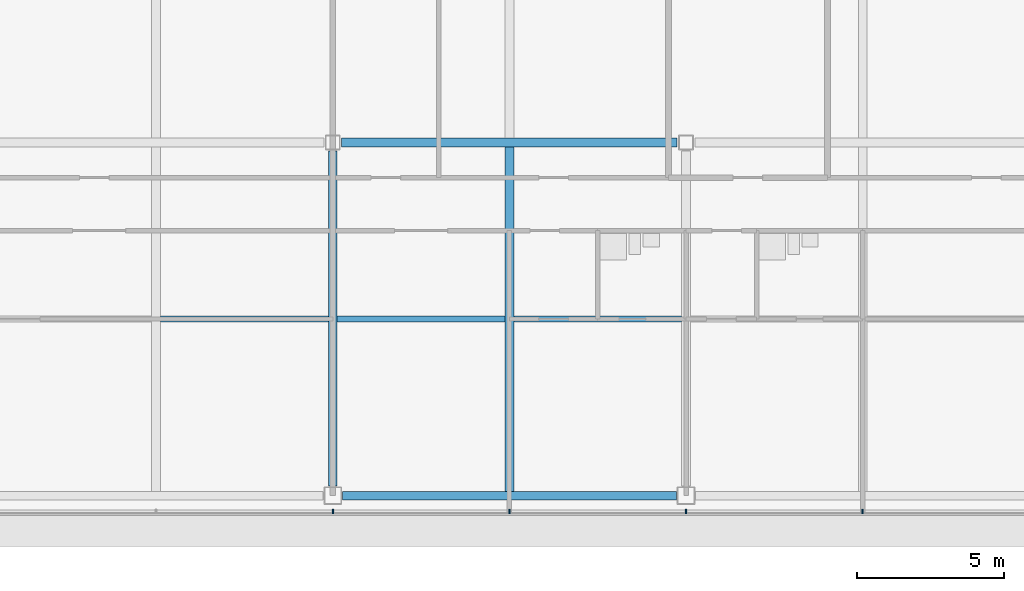
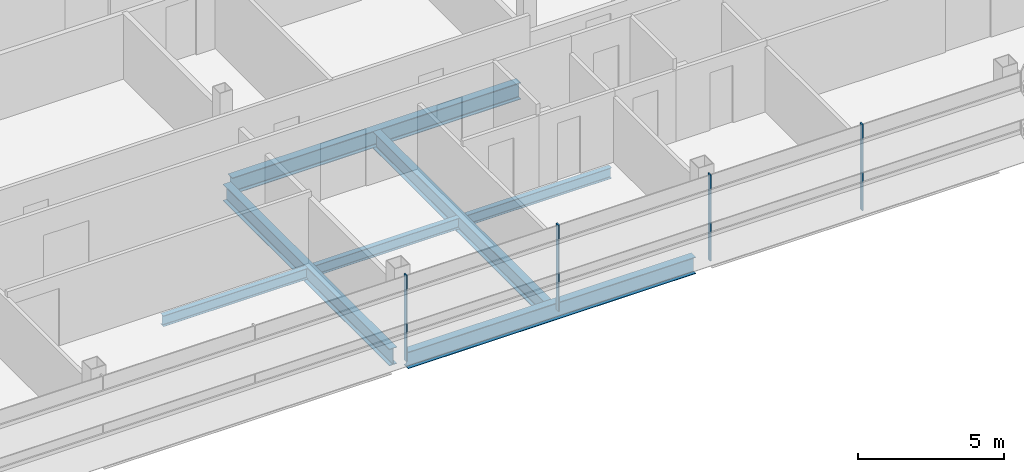
# One storey, part 9 of 27: 7 beams, 4 members, 1 element without a shape of its own.
"""IFC4 building model written with IfcOpenShell, lengths in metres."""

from ifc_helpers import new_model, si_unit, direction, frame, origin, origin_2d, place, context, subcontext, project, spatial, rectangle, i_section, extrude, material, material_profile, profile_set, type_object, element, aggregate, save


model = new_model("IFC4")

# Units and contexts
model_context = context("Model", 3, precision=1e-05, world=origin(), true_north=direction((0.0, 1.0)))
body_context = subcontext(model_context, "Body", "Model", "MODEL_VIEW")
ifc_project = project(units=[si_unit("LENGTHUNIT", "METRE"), si_unit("AREAUNIT", "SQUARE_METRE"), si_unit("VOLUMEUNIT", "CUBIC_METRE"), si_unit("PLANEANGLEUNIT", "RADIAN"), si_unit("MASSUNIT", "GRAM", prefix="KILO")], contexts=[model_context])

# Site, building, storey
site_placement = place(None, origin())
site = spatial("IfcSite", under=ifc_project, at=site_placement, CompositionType="ELEMENT")
building_placement = place(site_placement, origin())
building = spatial("IfcBuilding", under=site, at=building_placement, Name="Sorahane Residences", CompositionType="ELEMENT")
storey_placement = place(building_placement, frame((0.0, 0.0, 246.800048828125)))
storey = spatial("IfcBuildingStorey", under=building, at=storey_placement, Name="L58", CompositionType="ELEMENT", Elevation=246.800048828125)

# Curtain wall, members
ifc_material_1 = material(Name="Dark low-e glass and black anodised aluminium", Category="aluminium")
curtain_wall_type = type_object("IfcCurtainWallType", Name="Curtain wall CW-1 Typical unitised wall", PredefinedType="NOTDEFINED", material=ifc_material_1)
curtain_wall_placement = place(storey_placement, origin())
curtain_wall = element("IfcCurtainWall", 1, at=curtain_wall_placement, inside=storey, type_object=curtain_wall_type, Name="CW-1 curtain wall L58 S1", PredefinedType="NOTDEFINED")
ifc_material_2 = material(Name="Black anodised aluminium", Category="aluminium")
ifc_material_profile_1 = material_profile(ifc_material_2, rectangle(XDim=0.159912109375, YDim=0.050048828125, at=origin_2d()), Name="Curtain wall mullion CW-1 black anodised aluminium 50x160")
ifc_profile_set_1 = profile_set([ifc_material_profile_1], Name="Black anodised aluminium")
member_type = type_object("IfcMemberType", Name="Curtain wall mullion CW-1 black anodised aluminium 50x160", PredefinedType="MULLION", material=ifc_profile_set_1)
member_1_placement = place(storey_placement, frame((24.0, -0.5400390625, -0.179931640625), z_axis=(0.0, 0.0, 1.0), x_axis=(0.0, -1.0, 0.0)))
member_1 = element("IfcMember", 2, at=member_1_placement, type_object=member_type, Name="CW-1 mullion L58 S1.6", PredefinedType="MULLION", context=body_context, shape_type="SweptSolid", body=[
    extrude(rectangle(XDim=0.159912109375, YDim=0.050048828125, at=origin_2d()), origin(), (0.0, 0.0, 1.0), 3.599853515625),
])
member_2_placement = place(storey_placement, frame((30.0, -0.5400390625, -0.179931640625), z_axis=(0.0, 0.0, 1.0), x_axis=(0.0, -1.0, 0.0)))
member_2 = element("IfcMember", 3, at=member_2_placement, type_object=member_type, Name="CW-1 mullion L58 S1.7", PredefinedType="MULLION", context=body_context, shape_type="SweptSolid", body=[
    extrude(rectangle(XDim=0.159912109375, YDim=0.050048828125, at=origin_2d()), origin(), (0.0, 0.0, 1.0), 3.599853515625),
])
member_3_placement = place(storey_placement, frame((36.0, -0.5400390625, -0.179931640625), z_axis=(0.0, 0.0, 1.0), x_axis=(0.0, -1.0, 0.0)))
member_3 = element("IfcMember", 4, at=member_3_placement, type_object=member_type, Name="CW-1 mullion L58 S1.8", PredefinedType="MULLION", context=body_context, shape_type="SweptSolid", body=[
    extrude(rectangle(XDim=0.159912109375, YDim=0.050048828125, at=origin_2d()), origin(), (0.0, 0.0, 1.0), 3.599853515625),
])
member_4_placement = place(storey_placement, frame((42.0, -0.5400390625, -0.179931640625), z_axis=(0.0, 0.0, 1.0), x_axis=(0.0, -1.0, 0.0)))
member_4 = element("IfcMember", 5, at=member_4_placement, type_object=member_type, Name="CW-1 mullion L58 S1.9", PredefinedType="MULLION", context=body_context, shape_type="SweptSolid", body=[
    extrude(rectangle(XDim=0.159912109375, YDim=0.050048828125, at=origin_2d()), origin(), (0.0, 0.0, 1.0), 3.599853515625),
])
aggregate(curtain_wall, [member_1, member_2, member_3, member_4])

# Beams
ifc_material_3 = material(Name="Steel Q355B", Category="steel")
ifc_material_profile_2 = material_profile(ifc_material_3, i_section(OverallWidth=0.199951171875, OverallDepth=0.449951171875, WebThickness=0.009033203125, FlangeThickness=0.013916015625, FilletRadius=0.02001953125, at=origin_2d()), Name="HN 450x200x9x14")
ifc_profile_set_2 = profile_set([ifc_material_profile_2], Name="Steel Q355B")
beam_type_1 = type_object("IfcBeamType", Name="Steel floor beam HN 450x200x9x14 Q355B", PredefinedType="BEAM", material=ifc_profile_set_2)
for number, where, z_axis, x_axis, name in (
    (6, (18.14990234375, 6.0, -0.405029296875), (1.0, 0.0, 0.0), (0.0, 1.0, 0.0), "Beam L58 072"),
    (7, (24.14990234375, 6.0, -0.405029296875), (1.0, 0.0, 0.0), (0.0, 1.0, 0.0), "Beam L58 073"),
    (8, (30.14990234375, 6.0, -0.405029296875), (1.0, 0.0, 0.0), (0.0, 1.0, 0.0), "Beam L58 074"),
):
    element("IfcBeam", number, at=place(storey_placement, frame(where, z_axis=z_axis, x_axis=x_axis)), inside=storey, type_object=beam_type_1, Name=name, PredefinedType="BEAM", context=body_context, shape_type="SweptSolid", body=[
        extrude(i_section(OverallWidth=0.199951171875, OverallDepth=0.449951171875, WebThickness=0.009033203125, FlangeThickness=0.013916015625, FilletRadius=0.02001953125, at=origin_2d()), origin(), (0.0, 0.0, 1.0), 5.7001953125),
    ])
ifc_material_4 = material(Name="Steel Q355B", Category="steel")
ifc_material_profile_3 = material_profile(ifc_material_4, i_section(OverallWidth=0.300048828125, OverallDepth=0.699951171875, WebThickness=0.012939453125, FlangeThickness=0.02392578125, FilletRadius=0.028076171875, at=origin_2d()), Name="HN 700x300x13x24")
ifc_profile_set_3 = profile_set([ifc_material_profile_3], Name="Steel Q355B")
beam_type_2 = type_object("IfcBeamType", Name="Steel floor beam HN 700x300x13x24 Q355B", PredefinedType="BEAM", material=ifc_profile_set_3)
beam_1_placement = place(storey_placement, frame((24.324951171875, 0.0, -0.530029296875), z_axis=(1.0, 0.0, 0.0), x_axis=(0.0, 1.0, 0.0)))
element("IfcBeam", 9, at=beam_1_placement, inside=storey, type_object=beam_type_2, Name="Beam L58 003", PredefinedType="BEAM", context=body_context, shape_type="SweptSolid", body=[
    extrude(i_section(OverallWidth=0.300048828125, OverallDepth=0.699951171875, WebThickness=0.012939453125, FlangeThickness=0.02392578125, FilletRadius=0.028076171875, at=origin_2d()), origin(), (0.0, 0.0, 1.0), 11.35009765625),
])
beam_2_placement = place(storey_placement, frame((24.300048828125, 12.0, -0.530029296875), z_axis=(1.0, 0.0, 0.0), x_axis=(0.0, 1.0, 0.0)))
element("IfcBeam", 10, at=beam_2_placement, inside=storey, type_object=beam_type_2, Name="Beam L58 008", PredefinedType="BEAM", context=body_context, shape_type="SweptSolid", body=[
    extrude(i_section(OverallWidth=0.300048828125, OverallDepth=0.699951171875, WebThickness=0.012939453125, FlangeThickness=0.02392578125, FilletRadius=0.028076171875, at=origin_2d()), origin(), (0.0, 0.0, 1.0), 11.39990234375),
])
beam_3_placement = place(storey_placement, frame((24.0, 0.324951171875, -0.530029296875), z_axis=(0.0, 1.0, 0.0), x_axis=(-1.0, 0.0, 0.0)))
element("IfcBeam", 11, at=beam_3_placement, inside=storey, type_object=beam_type_2, Name="Beam L58 042", PredefinedType="BEAM", context=body_context, shape_type="SweptSolid", body=[
    extrude(i_section(OverallWidth=0.300048828125, OverallDepth=0.699951171875, WebThickness=0.012939453125, FlangeThickness=0.02392578125, FilletRadius=0.028076171875, at=origin_2d()), origin(), (0.0, 0.0, 1.0), 11.375),
])
beam_4_placement = place(storey_placement, frame((30.0, 0.14990234375, -0.530029296875), z_axis=(0.0, 1.0, 0.0), x_axis=(-1.0, 0.0, 0.0)))
element("IfcBeam", 12, at=beam_4_placement, inside=storey, type_object=beam_type_2, Name="Beam L58 044", PredefinedType="BEAM", context=body_context, shape_type="SweptSolid", body=[
    extrude(i_section(OverallWidth=0.300048828125, OverallDepth=0.699951171875, WebThickness=0.012939453125, FlangeThickness=0.02392578125, FilletRadius=0.028076171875, at=origin_2d()), origin(), (0.0, 0.0, 1.0), 11.7001953125),
])

save(model, "model.ifc")
